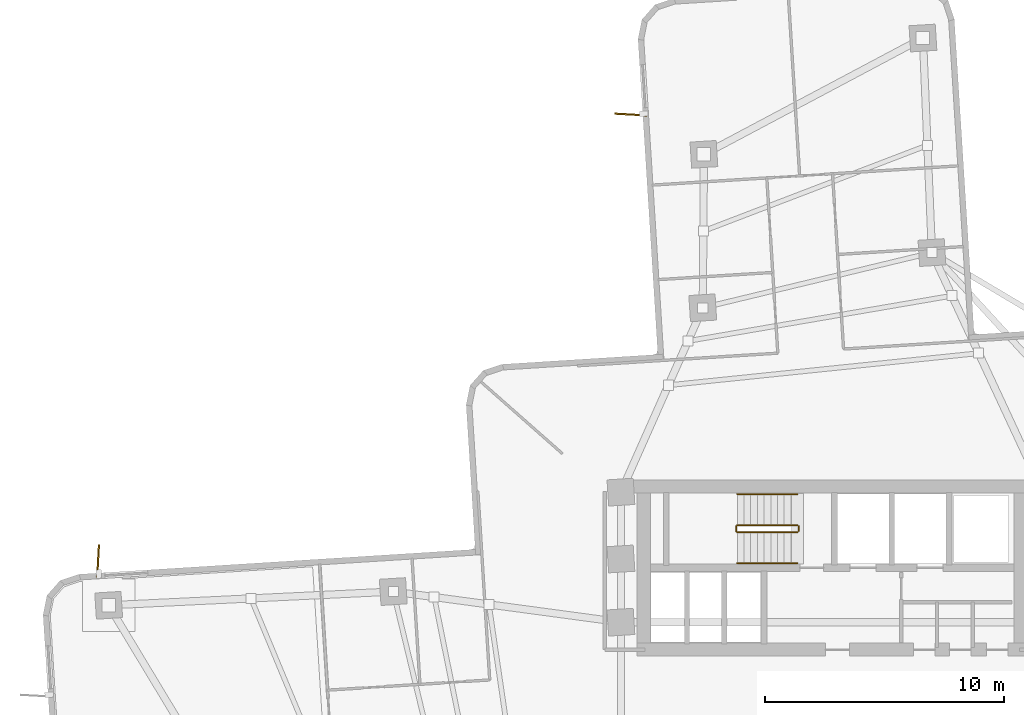
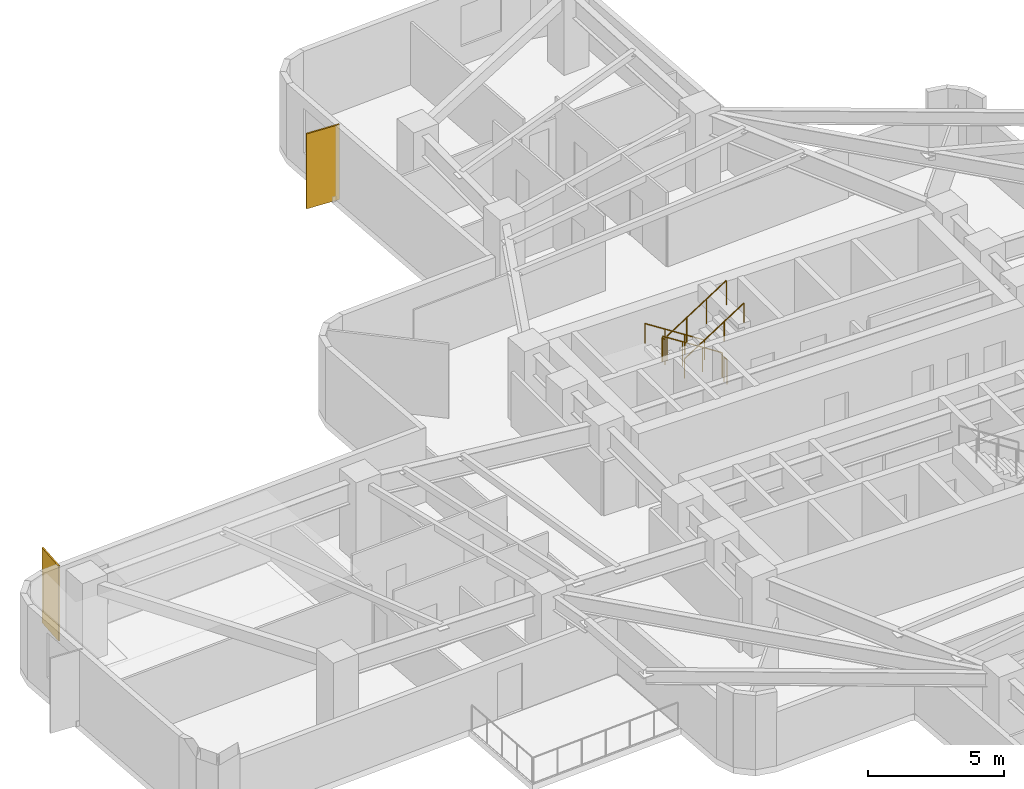
# One storey, part 10 of 11: 6 railings, 2 shading devices.
"""IFC4 building model written with IfcOpenShell, lengths in metres."""

from ifc_helpers import new_model, si_unit, direction, frame, origin, origin_2d, place, context, subcontext, project, spatial, rectangle, circle, extrude, material, layer, layer_set, type_object, element, save


model = new_model("IFC4")

# Units and contexts
model_context = context("Model", 3, precision=1e-05, world=origin(), true_north=direction((0.0, 1.0)))
body_context = subcontext(model_context, "Body", "Model", "MODEL_VIEW")
ifc_project = project(units=[si_unit("LENGTHUNIT", "METRE"), si_unit("AREAUNIT", "SQUARE_METRE"), si_unit("VOLUMEUNIT", "CUBIC_METRE"), si_unit("PLANEANGLEUNIT", "RADIAN"), si_unit("MASSUNIT", "GRAM", prefix="KILO")], contexts=[model_context])

# Site, building, storey
site_placement = place(None, origin())
site = spatial("IfcSite", under=ifc_project, at=site_placement, CompositionType="ELEMENT")
building_placement = place(site_placement, origin())
building = spatial("IfcBuilding", under=site, at=building_placement, Name="Solmarez Civic Tower", CompositionType="ELEMENT")
storey_placement = place(building_placement, frame((0.0, 0.0, 49.679931640625)))
storey = spatial("IfcBuildingStorey", under=building, at=storey_placement, Name="L12", CompositionType="ELEMENT", Elevation=49.679931640625)

# Shading devices
ifc_material_1 = material(Name="Bronze Anodised Aluminium EN AW-6063 T6", Category="aluminium")
ifc_layer = layer(ifc_material_1, 0.06494140625)
ifc_layer_set = layer_set([ifc_layer], Name="Bronze Anodised Aluminium EN AW-6063 T6")
shading_device_type = type_object("IfcShadingDeviceType", Name="FIN-BRONZE-Z12", PredefinedType="USERDEFINED", material=ifc_layer_set)
for number, where, z_axis, x_axis, name in (
    (1, (-30.762939453125, 5.464111328125, -0.0400390625), (0.0, 0.0, 1.0), (0.055037314315, 0.998484298341, 0.0), "L12 Anodised Bronze Solar Fin FIN-L12-02"),
    (2, (-8.43994140625, 24.177001953125, -0.0400390625), (0.0, 0.0, 1.0), (-0.998486218897, 0.055002460604, 0.0), "L12 Anodised Bronze Solar Fin FIN-L12-03"),
):
    element("IfcShadingDevice", number, at=place(storey_placement, frame(where, z_axis=z_axis, x_axis=x_axis)), inside=storey, type_object=shading_device_type, Name=name, ObjectType="FIN", PredefinedType="USERDEFINED", context=body_context, shape_type="SweptSolid", body=[
        extrude(rectangle(XDim=1.35009765625, YDim=0.06494140625, at=origin_2d()), origin(), (0.0, 0.0, 1.0), 3.360107421875),
    ])

# Railings
ifc_material_2 = material(Name="Painted Steel Stairwell Safety Guard", Category="steel")
railing_type_1 = type_object("IfcRailingType", Name="GUARD-STAIR-1120", PredefinedType="BALUSTRADE", material=ifc_material_2)
railing_1_placement = place(storey_placement, frame((-1.449951171875, 6.969970703125, 0.18017578125)))
element("IfcRailing", 3, at=railing_1_placement, inside=storey, type_object=railing_type_1, Name="L12 ST-1 stair guard 1", PredefinedType="BALUSTRADE", context=body_context, shape_type="SweptSolid", body=[
    extrude(circle(Radius=0.02392578125, at=origin_2d()), frame((0.0, 0.0, 1.09619140625), z_axis=(-0.841199657755, 0.0, 0.540724639528), x_axis=(0.0, -1.0, 0.0)), (0.0, 0.0, 1.0), 2.995849609375),
    extrude(circle(Radius=0.02099609375, at=origin_2d()), origin(), (0.0, 0.0, 1.0), 1.072021484375),
    extrude(circle(Radius=0.02099609375, at=origin_2d()), frame((-0.840087890625, 0.0, 0.5400390625)), (0.0, 0.0, 1.0), 1.072021484375),
    extrude(circle(Radius=0.02099609375, at=origin_2d()), frame((-1.679931640625, 0.0, 1.079833984375)), (0.0, 0.0, 1.0), 1.072021484375),
    extrude(circle(Radius=0.02099609375, at=origin_2d()), frame((-2.52001953125, 0.0, 1.619873046875)), (0.0, 0.0, 1.0), 1.072021484375),
])
railing_2_placement = place(storey_placement, frame((-4.02001953125, 6.919921875, 1.800048828125)))
element("IfcRailing", 4, at=railing_2_placement, inside=storey, type_object=railing_type_1, Name="L12 ST-1 stair guard 2", PredefinedType="BALUSTRADE", context=body_context, shape_type="SweptSolid", body=[
    extrude(circle(Radius=0.02392578125, at=origin_2d()), frame((0.0, 0.0, 1.09619140625), z_axis=(0.0, -1.0, 0.0), x_axis=(1.0, 0.0, 0.0)), (0.0, 0.0, 1.0), 0.199951171875),
    extrude(circle(Radius=0.02099609375, at=origin_2d()), origin(), (0.0, 0.0, 1.0), 1.072021484375),
    extrude(circle(Radius=0.02099609375, at=origin_2d()), frame((0.0, -0.199951171875, 0.0)), (0.0, 0.0, 1.0), 1.072021484375),
])
railing_3_placement = place(storey_placement, frame((-3.969970703125, 6.669921875, 1.97998046875)))
element("IfcRailing", 5, at=railing_3_placement, inside=storey, type_object=railing_type_1, Name="L12 ST-1 stair guard 3", PredefinedType="BALUSTRADE", context=body_context, shape_type="SweptSolid", body=[
    extrude(circle(Radius=0.02392578125, at=origin_2d()), frame((0.0, 0.0, 1.09619140625), z_axis=(0.841162588446, 0.0, 0.540782303519), x_axis=(0.0, 1.0, 0.0)), (0.0, 0.0, 1.0), 2.995849609375),
    extrude(circle(Radius=0.02099609375, at=origin_2d()), origin(), (0.0, 0.0, 1.0), 1.072021484375),
    extrude(circle(Radius=0.02099609375, at=origin_2d()), frame((0.840087890625, 0.0, 0.5400390625)), (0.0, 0.0, 1.0), 1.072021484375),
    extrude(circle(Radius=0.02099609375, at=origin_2d()), frame((1.679931640625, 0.0, 1.080078125)), (0.0, 0.0, 1.0), 1.072021484375),
    extrude(circle(Radius=0.02099609375, at=origin_2d()), frame((2.52001953125, 0.0, 1.6201171875)), (0.0, 0.0, 1.0), 1.072021484375),
])
railing_4_placement = place(storey_placement, frame((-1.39990234375, 6.919921875, 0.0)))
element("IfcRailing", 6, at=railing_4_placement, inside=storey, type_object=railing_type_1, Name="L12 ST-1 stair guard 4", PredefinedType="BALUSTRADE", context=body_context, shape_type="SweptSolid", body=[
    extrude(circle(Radius=0.02392578125, at=origin_2d()), frame((0.0, 0.0, 1.09619140625), z_axis=(0.0, -1.0, 0.0), x_axis=(1.0, 0.0, 0.0)), (0.0, 0.0, 1.0), 0.199951171875),
    extrude(circle(Radius=0.02099609375, at=origin_2d()), origin(), (0.0, 0.0, 1.0), 1.072021484375),
    extrude(circle(Radius=0.02099609375, at=origin_2d()), frame((0.0, -0.199951171875, 0.0)), (0.0, 0.0, 1.0), 1.072021484375),
])
ifc_material_3 = material(Name="Brushed Stainless Steel Tube Handrail", Category="steel")
railing_type_2 = type_object("IfcRailingType", Name="HANDRAIL-STAIR-900", PredefinedType="HANDRAIL", material=ifc_material_3)
railing_5_placement = place(storey_placement, frame((-1.449951171875, 8.27001953125, 0.18017578125)))
element("IfcRailing", 7, at=railing_5_placement, inside=storey, type_object=railing_type_2, Name="L12 ST-1 stair handrail 1", PredefinedType="HANDRAIL", context=body_context, shape_type="SweptSolid", body=[
    extrude(circle(Radius=0.02392578125, at=origin_2d()), frame((0.0, 0.0, 0.8759765625), z_axis=(-0.841199657755, 0.0, 0.540724639528), x_axis=(0.0, -1.0, 0.0)), (0.0, 0.0, 1.0), 2.995849609375),
    extrude(circle(Radius=0.02099609375, at=origin_2d()), origin(), (0.0, 0.0, 1.0), 0.851806640625),
    extrude(circle(Radius=0.02099609375, at=origin_2d()), frame((-0.840087890625, 0.0, 0.5400390625)), (0.0, 0.0, 1.0), 0.851806640625),
    extrude(circle(Radius=0.02099609375, at=origin_2d()), frame((-1.679931640625, 0.0, 1.079833984375)), (0.0, 0.0, 1.0), 0.851806640625),
    extrude(circle(Radius=0.02099609375, at=origin_2d()), frame((-2.52001953125, 0.0, 1.619873046875)), (0.0, 0.0, 1.0), 0.851806640625),
])
railing_6_placement = place(storey_placement, frame((-3.969970703125, 5.3701171875, 1.97998046875)))
element("IfcRailing", 8, at=railing_6_placement, inside=storey, type_object=railing_type_2, Name="L12 ST-1 stair handrail 2", PredefinedType="HANDRAIL", context=body_context, shape_type="SweptSolid", body=[
    extrude(circle(Radius=0.02392578125, at=origin_2d()), frame((0.0, 0.0, 0.8759765625), z_axis=(0.841162588446, 0.0, 0.540782303519), x_axis=(0.0, 1.0, 0.0)), (0.0, 0.0, 1.0), 2.995849609375),
    extrude(circle(Radius=0.02099609375, at=origin_2d()), origin(), (0.0, 0.0, 1.0), 0.851806640625),
    extrude(circle(Radius=0.02099609375, at=origin_2d()), frame((0.840087890625, 0.0, 0.5400390625)), (0.0, 0.0, 1.0), 0.851806640625),
    extrude(circle(Radius=0.02099609375, at=origin_2d()), frame((1.679931640625, 0.0, 1.080078125)), (0.0, 0.0, 1.0), 0.851806640625),
    extrude(circle(Radius=0.02099609375, at=origin_2d()), frame((2.52001953125, 0.0, 1.6201171875)), (0.0, 0.0, 1.0), 0.851806640625),
])

save(model, "model.ifc")
